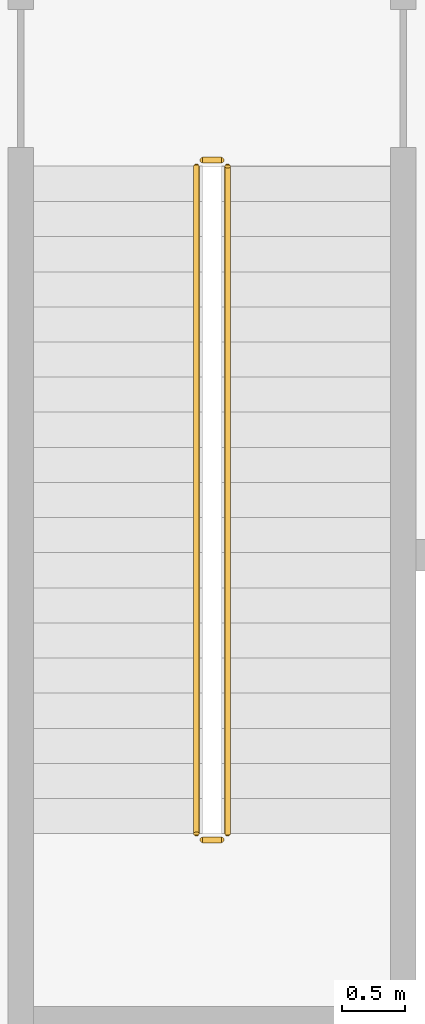
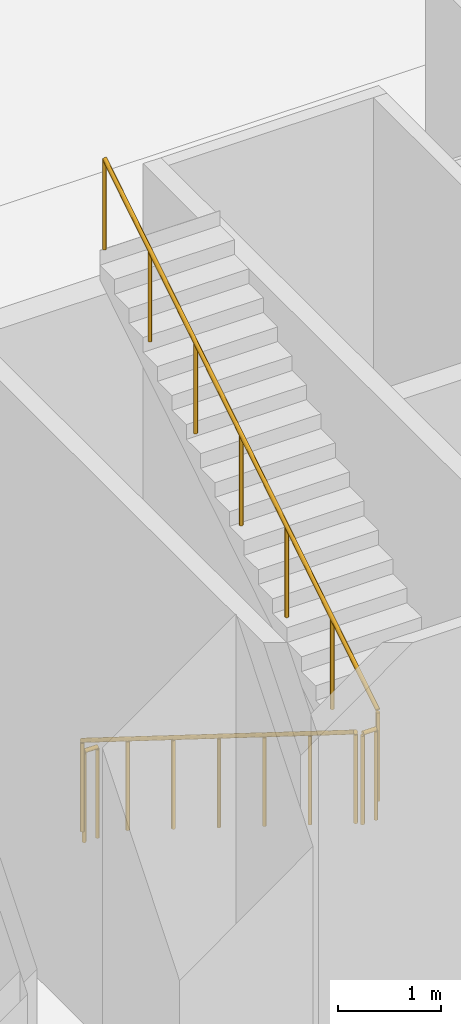
# One storey, part 29 of 32: 4 railings.
"""IFC4 building model written with IfcOpenShell, lengths in metres."""

from ifc_helpers import new_model, si_unit, direction, frame, origin, origin_2d, place, context, subcontext, project, spatial, circle, extrude, material, type_object, element, save


model = new_model("IFC4")

# Units and contexts
model_context = context("Model", 3, precision=1e-05, world=origin(), true_north=direction((0.0, 1.0)))
body_context = subcontext(model_context, "Body", "Model", "MODEL_VIEW")
ifc_project = project(units=[si_unit("LENGTHUNIT", "METRE"), si_unit("AREAUNIT", "SQUARE_METRE"), si_unit("VOLUMEUNIT", "CUBIC_METRE"), si_unit("PLANEANGLEUNIT", "RADIAN"), si_unit("MASSUNIT", "GRAM", prefix="KILO")], contexts=[model_context])

# Site, building, storey
site_placement = place(None, origin())
site = spatial("IfcSite", under=ifc_project, at=site_placement, CompositionType="ELEMENT")
building_placement = place(site_placement, origin())
building = spatial("IfcBuilding", under=site, at=building_placement, Name="Kawkab Arch Medical Tower", CompositionType="ELEMENT")
storey_placement = place(building_placement, origin())
storey = spatial("IfcBuildingStorey", under=building, at=storey_placement, Name="L01", CompositionType="ELEMENT", Elevation=0.0)

# Railings
ifc_material = material(Name="Stainless steel", Category="steel")
railing_type = type_object("IfcRailingType", Name="Stair guard 1100", PredefinedType="GUARDRAIL", material=ifc_material)
railing_1_placement = place(storey_placement, frame((44.39990234375, -1.800048828125, 0.175048828125)))
element("IfcRailing", 1, at=railing_1_placement, inside=storey, type_object=railing_type, Name="L01 ST5 stair guard 1", PredefinedType="GUARDRAIL", context=body_context, shape_type="SweptSolid", body=[
    extrude(circle(Radius=0.02392578125, at=origin_2d()), frame((0.0, 0.0, 1.076171875), z_axis=(0.0, -0.848004862711, 0.52998844593), x_axis=(1.0, 0.0, 0.0)), (0.0, 0.0, 1.0), 6.273681640625),
    extrude(circle(Radius=0.02099609375, at=origin_2d()), origin(), (0.0, 0.0, 1.0), 1.052001953125),
    extrude(circle(Radius=0.02099609375, at=origin_2d()), frame((0.0, -0.88671875, 0.55419921875)), (0.0, 0.0, 1.0), 1.052001953125),
    extrude(circle(Radius=0.02099609375, at=origin_2d()), frame((0.0, -1.7734375, 1.1083984375)), (0.0, 0.0, 1.0), 1.052001953125),
    extrude(circle(Radius=0.02099609375, at=origin_2d()), frame((0.0, -2.66015625, 1.66259765625)), (0.0, 0.0, 1.0), 1.052001953125),
    extrude(circle(Radius=0.02099609375, at=origin_2d()), frame((0.0, -3.546630859375, 2.216552734375)), (0.0, 0.0, 1.0), 1.052001953125),
    extrude(circle(Radius=0.02099609375, at=origin_2d()), frame((0.0, -4.433349609375, 2.770751953125)), (0.0, 0.0, 1.0), 1.052001953125),
    extrude(circle(Radius=0.02099609375, at=origin_2d()), frame((0.0, -5.320068359375, 3.324951171875)), (0.0, 0.0, 1.0), 1.052001953125),
])
railing_2_placement = place(storey_placement, frame((44.449951171875, -7.169921875, 3.5)))
element("IfcRailing", 2, at=railing_2_placement, inside=storey, type_object=railing_type, Name="L01 ST5 stair guard 2", PredefinedType="GUARDRAIL", context=body_context, shape_type="SweptSolid", body=[
    extrude(circle(Radius=0.02392578125, at=origin_2d()), frame((0.0, 0.0, 1.076171875), z_axis=(1.0, 0.0, 0.0), x_axis=(0.0, 1.0, 0.0)), (0.0, 0.0, 1.0), 0.150146484375),
    extrude(circle(Radius=0.02099609375, at=origin_2d()), origin(), (0.0, 0.0, 1.0), 1.052001953125),
    extrude(circle(Radius=0.02099609375, at=origin_2d()), frame((0.150146484375, 0.0, 0.0)), (0.0, 0.0, 1.0), 1.052001953125),
])
railing_3_placement = place(storey_placement, frame((44.64990234375, -7.1201171875, 3.675048828125)))
element("IfcRailing", 3, at=railing_3_placement, inside=storey, type_object=railing_type, Name="L01 ST5 stair guard 3", PredefinedType="GUARDRAIL", context=body_context, shape_type="SweptSolid", body=[
    extrude(circle(Radius=0.02392578125, at=origin_2d()), frame((0.0, 0.0, 1.076171875), z_axis=(0.0, 0.848004862711, 0.52998844593), x_axis=(-1.0, 0.0, 0.0)), (0.0, 0.0, 1.0), 6.273681640625),
    extrude(circle(Radius=0.02099609375, at=origin_2d()), origin(), (0.0, 0.0, 1.0), 1.052001953125),
    extrude(circle(Radius=0.02099609375, at=origin_2d()), frame((0.0, 0.88671875, 0.55419921875)), (0.0, 0.0, 1.0), 1.052001953125),
    extrude(circle(Radius=0.02099609375, at=origin_2d()), frame((0.0, 1.7734375, 1.1083984375)), (0.0, 0.0, 1.0), 1.052001953125),
    extrude(circle(Radius=0.02099609375, at=origin_2d()), frame((0.0, 2.66015625, 1.66259765625)), (0.0, 0.0, 1.0), 1.052001953125),
    extrude(circle(Radius=0.02099609375, at=origin_2d()), frame((0.0, 3.546630859375, 2.216552734375)), (0.0, 0.0, 1.0), 1.052001953125),
    extrude(circle(Radius=0.02099609375, at=origin_2d()), frame((0.0, 4.433349609375, 2.770751953125)), (0.0, 0.0, 1.0), 1.052001953125),
    extrude(circle(Radius=0.02099609375, at=origin_2d()), frame((0.0, 5.320068359375, 3.324951171875)), (0.0, 0.0, 1.0), 1.052001953125),
])
railing_4_placement = place(storey_placement, frame((44.449951171875, -1.75, 0.0)))
element("IfcRailing", 4, at=railing_4_placement, inside=storey, type_object=railing_type, Name="L01 ST5 stair guard 4", PredefinedType="GUARDRAIL", context=body_context, shape_type="SweptSolid", body=[
    extrude(circle(Radius=0.02392578125, at=origin_2d()), frame((0.0, 0.0, 1.076171875), z_axis=(1.0, 0.0, 0.0), x_axis=(0.0, 1.0, 0.0)), (0.0, 0.0, 1.0), 0.150146484375),
    extrude(circle(Radius=0.02099609375, at=origin_2d()), origin(), (0.0, 0.0, 1.0), 1.052001953125),
    extrude(circle(Radius=0.02099609375, at=origin_2d()), frame((0.150146484375, 0.0, 0.0)), (0.0, 0.0, 1.0), 1.052001953125),
])

save(model, "model.ifc")
